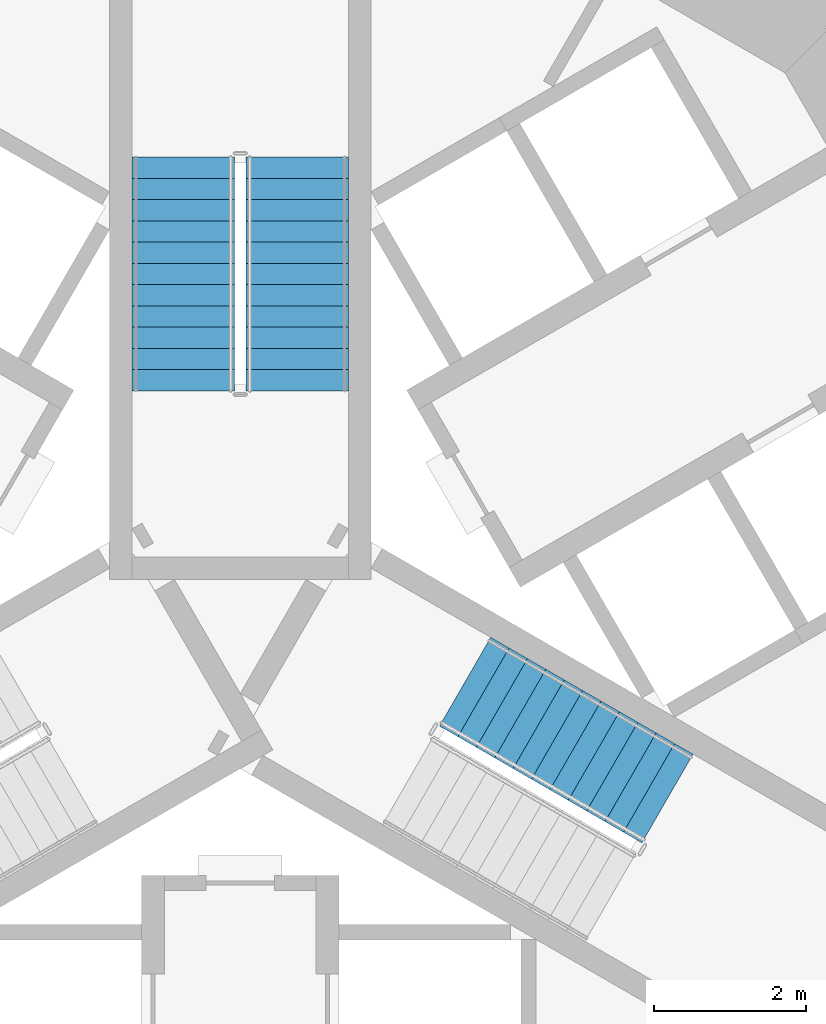
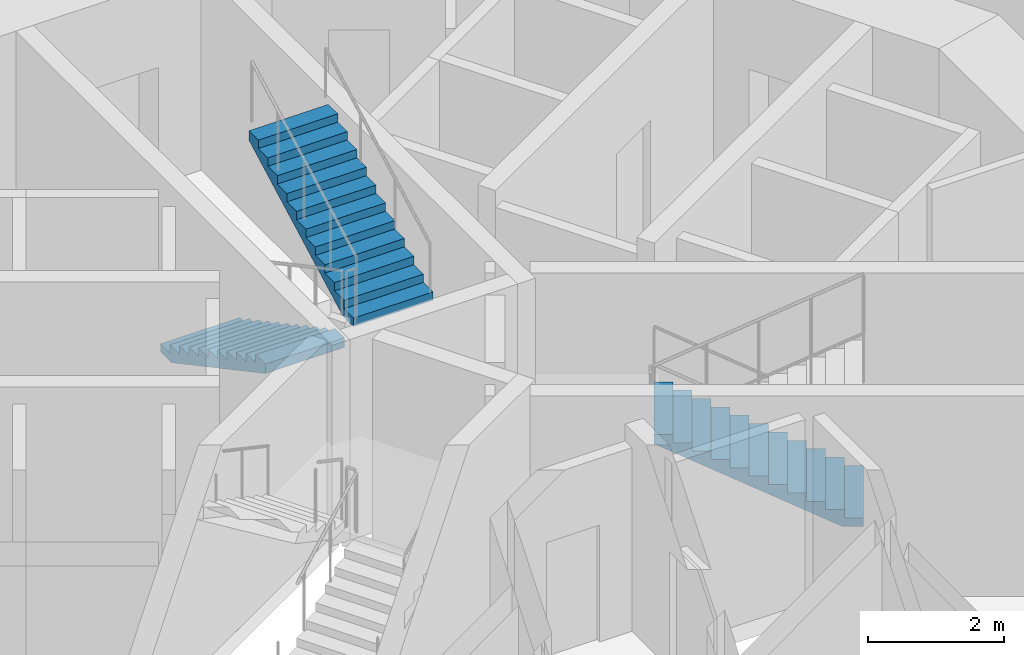
# One storey, part 12 of 20: 3 stair flights, 2 elements without a shape of their own.
"""IFC4 building model written with IfcOpenShell, lengths in metres."""

from ifc_helpers import new_model, si_unit, direction, frame, origin, place, context, subcontext, project, spatial, polyline, outline, extrude, material, type_object, element, aggregate, save


model = new_model("IFC4")

# Units and contexts
model_context = context("Model", 3, precision=1e-05, world=origin(), true_north=direction((0.0, 1.0)))
body_context = subcontext(model_context, "Body", "Model", "MODEL_VIEW")
ifc_project = project(units=[si_unit("LENGTHUNIT", "METRE"), si_unit("AREAUNIT", "SQUARE_METRE"), si_unit("VOLUMEUNIT", "CUBIC_METRE"), si_unit("PLANEANGLEUNIT", "RADIAN"), si_unit("MASSUNIT", "GRAM", prefix="KILO")], contexts=[model_context])

# Site, building, storey
site_placement = place(None, origin())
site = spatial("IfcSite", under=ifc_project, at=site_placement, CompositionType="ELEMENT")
building_placement = place(site_placement, origin())
building = spatial("IfcBuilding", under=site, at=building_placement, Name="Trine Commons Tower", CompositionType="ELEMENT")
storey_placement = place(building_placement, frame((0.0, 0.0, 108.89990234375)))
storey = spatial("IfcBuildingStorey", under=building, at=storey_placement, Name="L27", CompositionType="ELEMENT", Elevation=108.89990234375)

# Stair, stair flights
ifc_material = material(Name="Concrete C50/60", Category="concrete")
stair_type = type_object("IfcStairType", Name="Exit stair, dog-leg, 24 risers of 150 mm", PredefinedType="HALF_TURN_STAIR", material=ifc_material)
stair_1_placement = place(storey_placement, origin())
stair_1 = element("IfcStair", 1, at=stair_1_placement, inside=storey, type_object=stair_type, Name="L27 Exit stair ST1A", PredefinedType="HALF_TURN_STAIR")
stair_flight_type = type_object("IfcStairFlightType", Name="Stair flight, 1350 wide, 12 risers of 150 mm", PredefinedType="STRAIGHT", material=ifc_material)
stair_flight_1_placement = place(storey_placement, frame((79.25, 68.570556640625, 0.0), z_axis=(0.0, 0.0, 1.0), x_axis=(0.0, -1.0, 0.0)))
stair_flight_1 = element("IfcStairFlight", 2, at=stair_flight_1_placement, type_object=stair_flight_type, Name="ST1A flight 1", NumberOfRisers=12, NumberOfTreads=11, PredefinedType="STRAIGHT", RiserHeight=0.15, TreadLength=0.28, context=body_context, shape_type="SweptSolid", body=[
    extrude(outline(polyline([(0.0, 0.0), (0.0, 0.14990234375), (0.280029296875, 0.14990234375), (0.280029296875, 0.300048828125), (0.56005859375, 0.300048828125), (0.56005859375, 0.449951171875), (0.840087890625, 0.449951171875), (0.840087890625, 0.60009765625), (1.1201171875, 0.60009765625), (1.1201171875, 0.75), (1.39990234375, 0.75), (1.39990234375, 0.89990234375), (1.679931640625, 0.89990234375), (1.679931640625, 1.050048828125), (1.9599609375, 1.050048828125), (1.9599609375, 1.199951171875), (2.239990234375, 1.199951171875), (2.239990234375, 1.35009765625), (2.52001953125, 1.35009765625), (2.52001953125, 1.5), (2.800048828125, 1.5), (2.800048828125, 1.64990234375), (3.080078125, 1.64990234375), (3.080078125, 1.800048828125), (3.080078125, 1.47998046875), (0.3173828125, 0.0), (0.0, 0.0)])), frame((0.0, 0.675048828125, 0.0), z_axis=(0.0, -1.0, 0.0), x_axis=(1.0, 0.0, 0.0)), (0.0, 0.0, 1.0), 1.35009765625),
])
stair_flight_2_placement = place(storey_placement, frame((80.75, 65.490478515625, 1.800048828125), z_axis=(0.0, 0.0, 1.0), x_axis=(0.0, 1.0, 0.0)))
stair_flight_2 = element("IfcStairFlight", 3, at=stair_flight_2_placement, type_object=stair_flight_type, Name="ST1A flight 2", NumberOfRisers=12, NumberOfTreads=11, PredefinedType="STRAIGHT", RiserHeight=0.15, TreadLength=0.28, context=body_context, shape_type="SweptSolid", body=[
    extrude(outline(polyline([(0.0, 0.0), (0.0, 0.14990234375), (0.280029296875, 0.14990234375), (0.280029296875, 0.300048828125), (0.56005859375, 0.300048828125), (0.56005859375, 0.449951171875), (0.840087890625, 0.449951171875), (0.840087890625, 0.60009765625), (1.1201171875, 0.60009765625), (1.1201171875, 0.75), (1.39990234375, 0.75), (1.39990234375, 0.89990234375), (1.679931640625, 0.89990234375), (1.679931640625, 1.050048828125), (1.9599609375, 1.050048828125), (1.9599609375, 1.199951171875), (2.239990234375, 1.199951171875), (2.239990234375, 1.35009765625), (2.52001953125, 1.35009765625), (2.52001953125, 1.5), (2.800048828125, 1.5), (2.800048828125, 1.64990234375), (3.080078125, 1.64990234375), (3.080078125, 1.800048828125), (3.080078125, 1.47998046875), (0.3173828125, 0.0), (0.0, 0.0)])), frame((0.0, 0.675048828125, 0.0), z_axis=(0.0, -1.0, 0.0), x_axis=(1.0, 0.0, 0.0)), (0.0, 0.0, 1.0), 1.35009765625),
])
aggregate(stair_1, [stair_flight_1, stair_flight_2])

# Stair, stair flight
stair_2_placement = place(storey_placement, origin())
stair_2 = element("IfcStair", 4, at=stair_2_placement, inside=storey, type_object=stair_type, Name="L27 Exit stair ST3A", PredefinedType="HALF_TURN_STAIR")
stair_flight_3_placement = place(storey_placement, frame((85.63232421875, 60.1142578125, 0.0), z_axis=(0.0, 0.0, 1.0), x_axis=(-0.866025403784, 0.5, 0.0)))
stair_flight_3 = element("IfcStairFlight", 5, at=stair_flight_3_placement, type_object=stair_flight_type, Name="ST3A flight 1", NumberOfRisers=12, NumberOfTreads=11, PredefinedType="STRAIGHT", RiserHeight=0.15, TreadLength=0.28, context=body_context, shape_type="SweptSolid", body=[
    extrude(outline(polyline([(0.0, 0.0), (0.0, 0.14990234375), (0.280029296875, 0.14990234375), (0.280029296875, 0.300048828125), (0.56005859375, 0.300048828125), (0.56005859375, 0.449951171875), (0.840087890625, 0.449951171875), (0.840087890625, 0.60009765625), (1.1201171875, 0.60009765625), (1.1201171875, 0.75), (1.39990234375, 0.75), (1.39990234375, 0.89990234375), (1.679931640625, 0.89990234375), (1.679931640625, 1.050048828125), (1.9599609375, 1.050048828125), (1.9599609375, 1.199951171875), (2.239990234375, 1.199951171875), (2.239990234375, 1.35009765625), (2.52001953125, 1.35009765625), (2.52001953125, 1.5), (2.800048828125, 1.5), (2.800048828125, 1.64990234375), (3.080078125, 1.64990234375), (3.080078125, 1.800048828125), (3.080078125, 1.47998046875), (0.3173828125, 0.0), (0.0, 0.0)])), frame((0.0, 0.675048828125, 0.0), z_axis=(0.0, -1.0, 0.0), x_axis=(1.0, 0.0, 0.0)), (0.0, 0.0, 1.0), 1.35009765625),
])
aggregate(stair_2, [stair_flight_3])

save(model, "model.ifc")
